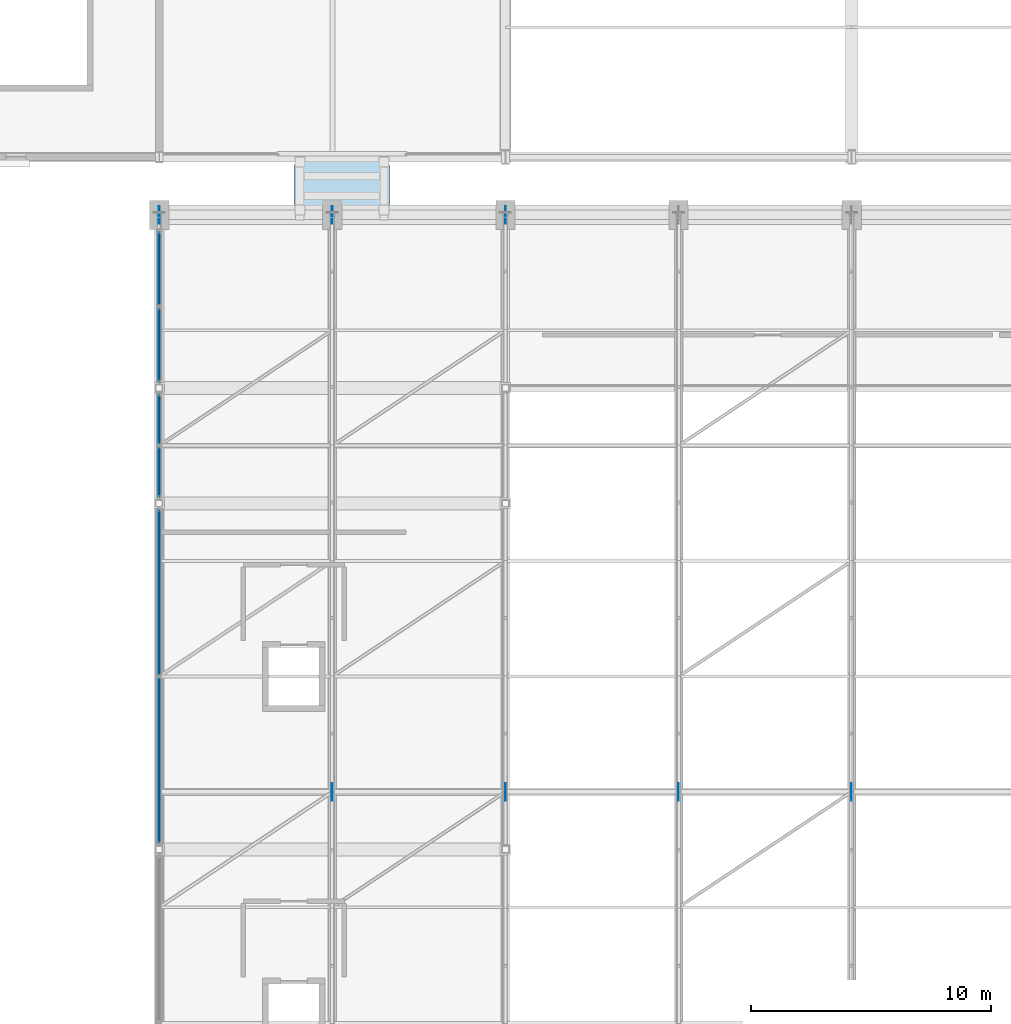
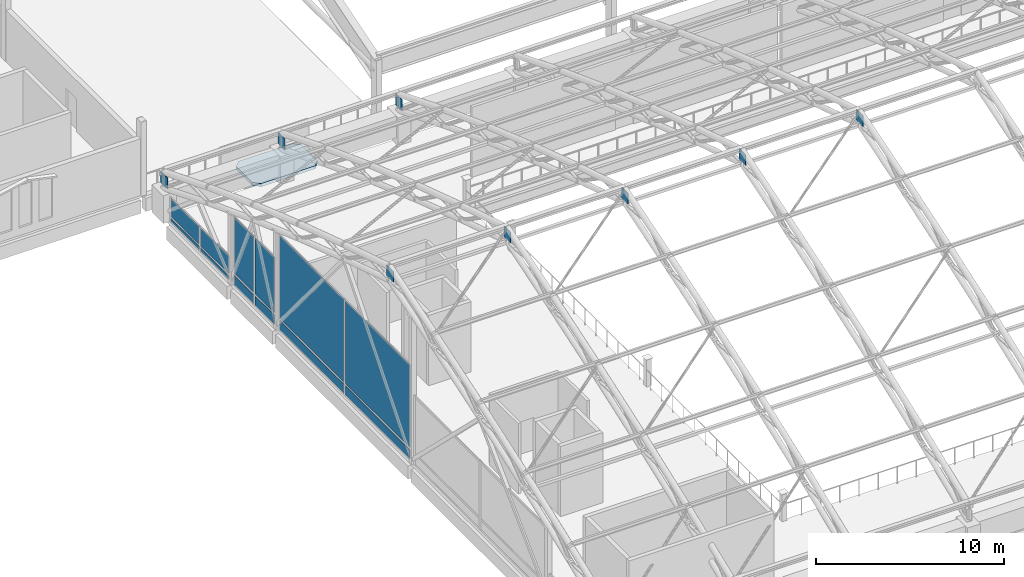
# One storey, part 66 of 116: 20 plates, 1 slab, 3 elements without a shape of their own.
"""IFC4 building model written with IfcOpenShell, lengths in metres."""

import ifcopenshell
import ifcopenshell.guid

model = None  # the IFC model being written
_history = None  # IfcOwnerHistory: only IFC2X3 demands one
_inside = {}  # id of a spatial element -> (the spatial element, [elements in it])
_under = {}  # id of a project, library or spatial element -> (it, [spatial elements below it])
_declared = {}  # id of a project -> (the project, [libraries it declares])
_typed = {}  # id of a type object -> (the type object, [elements of that type])
_made_of = {}  # id of a material, layer set ... -> (it, [elements and type objects made of it])


def new_model(schema):
    """Start an empty IFC model of exactly this schema.

    Asked for "IFC4X3", IfcOpenShell would pick the latest addendum, in which some entities
    have other attributes; the version numbers below select the first issue.
    IFC2X3 requires an IfcOwnerHistory on every rooted entity: one is made here for all.
    """
    global model, _history
    if schema == "IFC4X3":
        model = ifcopenshell.file(schema_version=(4, 3, 0, 0))
    else:
        model = ifcopenshell.file(schema=schema)
    _inside.clear()
    _under.clear()
    _declared.clear()
    _typed.clear()
    _made_of.clear()
    _history = None
    if model.schema == "IFC2X3":
        org = make("IfcOrganization", Name="unknown")
        user = make(
            "IfcPersonAndOrganization",
            ThePerson=make("IfcPerson", FamilyName="unknown"),
            TheOrganization=org,
        )
        app = make(
            "IfcApplication",
            ApplicationDeveloper=org,
            Version="unknown",
            ApplicationFullName="unknown",
            ApplicationIdentifier="unknown",
        )
        _history = make(
            "IfcOwnerHistory",
            OwningUser=user,
            OwningApplication=app,
            ChangeAction="ADDED",
            CreationDate=0,
        )
    return model


def make(cls, **values):
    """One entity of the class cls with the attributes given. An attribute that is None is left unset."""
    return model.create_entity(
        cls, **{name: value for name, value in values.items() if value is not None}
    )


def rooted(cls, **values):
    """An entity with a GlobalId (a new one), such as an element, a storey or a relation."""
    return make(cls, GlobalId=ifcopenshell.guid.new(), OwnerHistory=_history, **values)


def si_unit(unit_type, name, prefix=None):
    """IfcSIUnit, for example si_unit("LENGTHUNIT", "METRE", prefix="MILLI")."""
    return make("IfcSIUnit", UnitType=unit_type, Prefix=prefix, Name=name)


def assignment(units):
    """IfcUnitAssignment: the units of a project."""
    return None if units is None else make("IfcUnitAssignment", Units=units)


def point(xyz):
    """IfcCartesianPoint."""
    return None if xyz is None else make("IfcCartesianPoint", Coordinates=xyz)


def direction(xyz):
    """IfcDirection."""
    return None if xyz is None else make("IfcDirection", DirectionRatios=xyz)


def frame(location, z_axis=None, x_axis=None):
    """IfcAxis2Placement3D, a coordinate frame: its origin and axes. An axis left out is left unset."""
    return make(
        "IfcAxis2Placement3D",
        Location=point(location),
        Axis=direction(z_axis),
        RefDirection=direction(x_axis),
    )


def frame_2d(location, x_axis=None):
    """IfcAxis2Placement2D, a coordinate frame in the plane: its origin and x axis."""
    return make(
        "IfcAxis2Placement2D", Location=point(location), RefDirection=direction(x_axis)
    )


def origin():
    """The frame at (0, 0, 0) with its axes left unset."""
    return frame((0.0, 0.0, 0.0))


def origin_2d():
    """The frame at (0, 0) in the plane with its x axis left unset."""
    return frame_2d((0.0, 0.0))


def place(relative_to, where):
    """IfcLocalPlacement: puts the frame where relative to a parent placement (None: the world)."""
    return make(
        "IfcLocalPlacement", PlacementRelTo=relative_to, RelativePlacement=where
    )


def context(
    kind, dimensions, precision=None, world=None, true_north=None, identifier=None
):
    """IfcGeometricRepresentationContext, for example the 3D "Model" context."""
    return make(
        "IfcGeometricRepresentationContext",
        ContextIdentifier=identifier,
        ContextType=kind,
        CoordinateSpaceDimension=dimensions,
        Precision=precision,
        WorldCoordinateSystem=world,
        TrueNorth=true_north,
    )


def subcontext(parent, identifier, kind, view, scale=None):
    """IfcGeometricRepresentationSubContext, for example "Body" below "Model"."""
    return make(
        "IfcGeometricRepresentationSubContext",
        ContextIdentifier=identifier,
        ContextType=kind,
        ParentContext=parent,
        TargetScale=scale,
        TargetView=view,
    )


def project(units=None, contexts=None):
    """IfcProject with its units and contexts."""
    return rooted(
        "IfcProject",
        Name="project",
        RepresentationContexts=contexts,
        UnitsInContext=assignment(units),
    )


def spatial(cls, under=None, at=None, **own):
    """A site, building, storey or space (cls), placed at a placement, below another one or the project."""
    s = rooted(cls, ObjectPlacement=at, **own)
    if under is not None:
        _under.setdefault(under.id(), (under, []))[1].append(s)
    return s


def polyline(points):
    """IfcPolyline through the points."""
    return make("IfcPolyline", Points=[point(p) for p in points])


def profile(cls, at=None, kind="AREA", **sizes):
    """A parametric profile (cls). Its sizes go by their IFC names, for example OverallWidth=200.0."""
    return make(cls, ProfileType=kind, Position=at, **sizes)


def rectangle(**sizes):
    """IfcRectangleProfileDef."""
    return profile("IfcRectangleProfileDef", **sizes)


def outline(outer, holes=None, kind="AREA"):
    """IfcArbitraryClosedProfileDef: a profile drawn as a closed curve; with holes, ...WithVoids."""
    if holes is None:
        return make("IfcArbitraryClosedProfileDef", ProfileType=kind, OuterCurve=outer)
    return make(
        "IfcArbitraryProfileDefWithVoids",
        ProfileType=kind,
        OuterCurve=outer,
        InnerCurves=holes,
    )


def extrude(swept, where, along, depth):
    """IfcExtrudedAreaSolid: the profile swept, set in the frame where, extruded along a direction by depth."""
    return make(
        "IfcExtrudedAreaSolid",
        SweptArea=swept,
        Position=where,
        ExtrudedDirection=direction(along),
        Depth=depth,
    )


def shape(context_of_items, identifier, shape_type, items):
    """IfcShapeRepresentation: the items that make up one representation, for example the "Body"."""
    return make(
        "IfcShapeRepresentation",
        ContextOfItems=context_of_items,
        RepresentationIdentifier=identifier,
        RepresentationType=shape_type,
        Items=items,
    )


def material(Name=None, Category=None):
    """IfcMaterial."""
    return make("IfcMaterial", Name=Name, Category=Category)


def layer(
    of_material, thickness, ventilated=None, Name=None, Category=None, Priority=None
):
    """IfcMaterialLayer: one layer of a wall or slab, of a material (None: an air gap)."""
    return make(
        "IfcMaterialLayer",
        Material=of_material,
        LayerThickness=thickness,
        IsVentilated=ventilated,
        Name=Name,
        Category=Category,
        Priority=Priority,
    )


def layer_set(layers, Name=None):
    """IfcMaterialLayerSet."""
    return make("IfcMaterialLayerSet", MaterialLayers=layers, LayerSetName=Name)


def made_of(thing, what):
    """Note that an element or type object is made of a material, layer set ...; save() writes the relation."""
    if what is not None:
        _made_of.setdefault(what.id(), (what, []))[1].append(thing)
    return thing


def type_object(cls, material=None, **own):
    """A type object (cls), such as IfcWallType, which elements share."""
    return made_of(rooted(cls, **own), material)


def element(
    cls,
    number,
    at=None,
    inside=None,
    cuts=None,
    type_object=None,
    material=None,
    context=None,
    identifier="Body",
    shape_type=None,
    held_by="IfcProductDefinitionShape",
    body=None,
    shapes=None,
    **own,
):
    """One element of the class cls, such as IfcWall. Its Tag is "e" and its number.

    at: its placement. inside: the storey or other place that contains it. cuts: it is an
    opening in that element (IfcRelVoidsElement). A single representation is given by context,
    identifier, shape_type and body (its items); several are given by shapes. held_by: the class
    of the entity that holds the representations. save() writes the other relations.
    """
    e = rooted(cls, Tag="e%d" % number, ObjectPlacement=at, **own)
    if body is not None:
        shapes = [shape(context, identifier, shape_type, body)]
    if shapes is not None:
        e.Representation = make(held_by, Representations=shapes)
    if inside is not None:
        _inside.setdefault(inside.id(), (inside, []))[1].append(e)
    if cuts is not None:
        rooted(
            "IfcRelVoidsElement", RelatingBuildingElement=cuts, RelatedOpeningElement=e
        )
    if type_object is not None:
        _typed.setdefault(type_object.id(), (type_object, []))[1].append(e)
    return made_of(e, material)


def aggregate(whole, parts):
    """IfcRelAggregates: a whole, such as a stair, and the parts it consists of."""
    return rooted("IfcRelAggregates", RelatingObject=whole, RelatedObjects=parts)


def save(model, path):
    """Write the relations noted so far, then the file.

    IfcRelAggregates (storeys below a building ...), IfcRelContainedInSpatialStructure (elements
    in a storey), IfcRelDefinesByType, IfcRelAssociatesMaterial and IfcRelDeclares: one each for
    every whole, place, type object, material and project.
    """
    for whole, parts in _under.values():
        aggregate(whole, parts)
    for where, things in _inside.values():
        rooted(
            "IfcRelContainedInSpatialStructure",
            RelatedElements=things,
            RelatingStructure=where,
        )
    for kind, things in _typed.values():
        rooted("IfcRelDefinesByType", RelatedObjects=things, RelatingType=kind)
    for what, things in _made_of.values():
        rooted("IfcRelAssociatesMaterial", RelatedObjects=things, RelatingMaterial=what)
    for by, libraries in _declared.values():
        rooted("IfcRelDeclares", RelatingContext=by, RelatedDefinitions=libraries)
    model.write(path)


model = new_model("IFC4")

# Units and contexts
model_context = context("Model", 3, precision=1e-05, world=origin(), true_north=direction((0.0, 1.0)))
body_context = subcontext(model_context, "Body", "Model", "MODEL_VIEW")
ifc_project = project(units=[si_unit("LENGTHUNIT", "METRE"), si_unit("AREAUNIT", "SQUARE_METRE"), si_unit("VOLUMEUNIT", "CUBIC_METRE"), si_unit("PLANEANGLEUNIT", "RADIAN"), si_unit("MASSUNIT", "GRAM", prefix="KILO")], contexts=[model_context])

# Site, building, storey
site_placement = place(None, origin())
site = spatial("IfcSite", under=ifc_project, at=site_placement, CompositionType="ELEMENT")
building_placement = place(site_placement, origin())
building = spatial("IfcBuilding", under=site, at=building_placement, Name="Cendralis Lancet Convention Centre", CompositionType="ELEMENT")
storey_placement = place(building_placement, frame((0.0, 0.0, 15.0)))
storey = spatial("IfcBuildingStorey", under=building, at=storey_placement, Name="L03", CompositionType="ELEMENT", Elevation=15.0)

# Curtain wall, plates
ifc_material_1 = material(Name="Anodised bronze architectural aluminium", Category="aluminium")
curtain_wall_type = type_object("IfcCurtainWallType", Name="ARC-CW-PL02", PredefinedType="USERDEFINED", material=ifc_material_1)
curtain_wall_1_placement = place(storey_placement, origin())
curtain_wall_1 = element("IfcCurtainWall", 1, at=curtain_wall_1_placement, inside=storey, type_object=curtain_wall_type, Name="L03 Curtain Wall CW-PL2 #138", ObjectType="CURTAIN WALL", PredefinedType="USERDEFINED")
ifc_material_2 = material(Name="Double-glazed low-E solar-control glass", Category="glass")
ifc_layer_1 = layer(ifc_material_2, 0.035888671875, Name="Double-glazed low-E solar-control glass")
ifc_layer_set_1 = layer_set([ifc_layer_1], Name="Double-glazed low-E solar-control glass")
plate_type_1 = type_object("IfcPlateType", Name="ARC-PL-GL03", PredefinedType="CURTAIN_PANEL", material=ifc_layer_set_1)
plate_1_placement = place(storey_placement, frame((139.199951171875, 68.5, 0.81982421875), z_axis=(0.0, 0.0, 1.0), x_axis=(0.0, 1.0, 0.0)))
plate_1 = element("IfcPlate", 2, at=plate_1_placement, type_object=plate_type_1, Name="Vision Glass Panel CW2-CW-PL2-L03-138-PG0", PredefinedType="CURTAIN_PANEL", context=body_context, shape_type="SweptSolid", body=[
    extrude(rectangle(XDim=6.840087890625, YDim=0.035888671875, at=origin_2d()), origin(), (0.0, 0.0, 1.0), 5.364990234375),
])
plate_2_placement = place(storey_placement, frame((139.199951171875, 75.5, 0.81982421875), z_axis=(0.0, 0.0, 1.0), x_axis=(0.0, 1.0, 0.0)))
plate_2 = element("IfcPlate", 3, at=plate_2_placement, type_object=plate_type_1, Name="Vision Glass Panel CW2-CW-PL2-L03-138-PG1", PredefinedType="CURTAIN_PANEL", context=body_context, shape_type="SweptSolid", body=[
    extrude(rectangle(XDim=6.840087890625, YDim=0.035888671875, at=origin_2d()), origin(), (0.0, 0.0, 1.0), 5.364990234375),
])

curtain_wall_2_placement = place(storey_placement, origin())
curtain_wall_2 = element("IfcCurtainWall", 4, at=curtain_wall_2_placement, inside=storey, type_object=curtain_wall_type, Name="L03 Curtain Wall CW-PL2 #139", ObjectType="CURTAIN WALL", PredefinedType="USERDEFINED")
plate_3_placement = place(storey_placement, frame((139.199951171875, 80.5, 0.820068359375), z_axis=(0.0, 0.0, 1.0), x_axis=(0.0, 1.0, 0.0)))
plate_3 = element("IfcPlate", 5, at=plate_3_placement, type_object=plate_type_1, Name="Vision Glass Panel CW2-CW-PL2-L03-139-PG0", PredefinedType="CURTAIN_PANEL", context=body_context, shape_type="SweptSolid", body=[
    extrude(rectangle(XDim=2.0400390625, YDim=0.035888671875, at=origin_2d()), origin(), (0.0, 0.0, 1.0), 3.60693359375),
])
plate_4_placement = place(storey_placement, frame((139.199951171875, 82.699951171875, 0.820068359375), z_axis=(0.0, 0.0, 1.0), x_axis=(0.0, 1.0, 0.0)))
plate_4 = element("IfcPlate", 6, at=plate_4_placement, type_object=plate_type_1, Name="Vision Glass Panel CW2-CW-PL2-L03-139-PG1", PredefinedType="CURTAIN_PANEL", context=body_context, shape_type="SweptSolid", body=[
    extrude(rectangle(XDim=2.0400390625, YDim=0.035888671875, at=origin_2d()), origin(), (0.0, 0.0, 1.0), 3.60693359375),
])

curtain_wall_3_placement = place(storey_placement, origin())
curtain_wall_3 = element("IfcCurtainWall", 7, at=curtain_wall_3_placement, inside=storey, type_object=curtain_wall_type, Name="L03 Curtain Wall CW-PL2 #140", ObjectType="CURTAIN WALL", PredefinedType="USERDEFINED")
plate_5_placement = place(storey_placement, frame((139.199951171875, 85.78759765625, 0.43310546875), z_axis=(0.0, 0.0, 1.0), x_axis=(0.0, 1.0, 0.0)))
plate_5 = element("IfcPlate", 8, at=plate_5_placement, type_object=plate_type_1, Name="Vision Glass Panel CW2-CW-PL2-L03-140-PG0", PredefinedType="CURTAIN_PANEL", context=body_context, shape_type="SweptSolid", body=[
    extrude(rectangle(XDim=3.014892578125, YDim=0.035888671875, at=origin_2d()), origin(), (0.0, 0.0, 1.0), 1.14697265625),
])
plate_6_placement = place(storey_placement, frame((139.199951171875, 88.96240234375, 0.43310546875), z_axis=(0.0, 0.0, 1.0), x_axis=(0.0, 1.0, 0.0)))
plate_6 = element("IfcPlate", 9, at=plate_6_placement, type_object=plate_type_1, Name="Vision Glass Panel CW2-CW-PL2-L03-140-PG1", PredefinedType="CURTAIN_PANEL", context=body_context, shape_type="SweptSolid", body=[
    extrude(rectangle(XDim=3.014892578125, YDim=0.035888671875, at=origin_2d()), origin(), (0.0, 0.0, 1.0), 1.14697265625),
])

# Plate
ifc_material_3 = material(Name="Insulated ceramic-fritted spandrel glass", Category="glass")
ifc_layer_2 = layer(ifc_material_3, 0.044921875, Name="Insulated ceramic-fritted spandrel glass")
ifc_layer_set_2 = layer_set([ifc_layer_2], Name="Insulated ceramic-fritted spandrel glass")
plate_type_2 = type_object("IfcPlateType", Name="ARC-PL-SP01", PredefinedType="CURTAIN_PANEL", material=ifc_layer_set_2)
plate_7_placement = place(storey_placement, frame((139.199951171875, 68.5, 0.06982421875), z_axis=(0.0, 0.0, 1.0), x_axis=(0.0, 1.0, 0.0)))
plate_7 = element("IfcPlate", 10, at=plate_7_placement, type_object=plate_type_2, Name="Spandrel Panel CW2-CW-PL2-L03-138-PS0", PredefinedType="CURTAIN_PANEL", context=body_context, shape_type="SweptSolid", body=[
    extrude(rectangle(XDim=6.840087890625, YDim=0.044921875, at=origin_2d()), origin(), (0.0, 0.0, 1.0), 0.610107421875),
])

plate_8_placement = place(storey_placement, frame((139.199951171875, 75.5, 0.06982421875), z_axis=(0.0, 0.0, 1.0), x_axis=(0.0, 1.0, 0.0)))
plate_8 = element("IfcPlate", 11, at=plate_8_placement, type_object=plate_type_2, Name="Spandrel Panel CW2-CW-PL2-L03-138-PS1", PredefinedType="CURTAIN_PANEL", context=body_context, shape_type="SweptSolid", body=[
    extrude(rectangle(XDim=6.840087890625, YDim=0.044921875, at=origin_2d()), origin(), (0.0, 0.0, 1.0), 0.610107421875),
])

aggregate(curtain_wall_1, [plate_7, plate_1, plate_8, plate_2])

plate_9_placement = place(storey_placement, frame((139.199951171875, 80.5, 0.06982421875), z_axis=(0.0, 0.0, 1.0), x_axis=(0.0, 1.0, 0.0)))
plate_9 = element("IfcPlate", 12, at=plate_9_placement, type_object=plate_type_2, Name="Spandrel Panel CW2-CW-PL2-L03-139-PS0", PredefinedType="CURTAIN_PANEL", context=body_context, shape_type="SweptSolid", body=[
    extrude(rectangle(XDim=2.0400390625, YDim=0.044921875, at=origin_2d()), origin(), (0.0, 0.0, 1.0), 0.610107421875),
])

plate_10_placement = place(storey_placement, frame((139.199951171875, 82.699951171875, 0.06982421875), z_axis=(0.0, 0.0, 1.0), x_axis=(0.0, 1.0, 0.0)))
plate_10 = element("IfcPlate", 13, at=plate_10_placement, type_object=plate_type_2, Name="Spandrel Panel CW2-CW-PL2-L03-139-PS1", PredefinedType="CURTAIN_PANEL", context=body_context, shape_type="SweptSolid", body=[
    extrude(rectangle(XDim=2.0400390625, YDim=0.044921875, at=origin_2d()), origin(), (0.0, 0.0, 1.0), 0.610107421875),
])

aggregate(curtain_wall_2, [plate_9, plate_3, plate_10, plate_4])

plate_11_placement = place(storey_placement, frame((139.199951171875, 85.78759765625, 0.06982421875), z_axis=(0.0, 0.0, 1.0), x_axis=(0.0, 1.0, 0.0)))
plate_11 = element("IfcPlate", 14, at=plate_11_placement, type_object=plate_type_2, Name="Spandrel Panel CW2-CW-PL2-L03-140-PS0", PredefinedType="CURTAIN_PANEL", context=body_context, shape_type="SweptSolid", body=[
    extrude(rectangle(XDim=3.014892578125, YDim=0.044921875, at=origin_2d()), origin(), (0.0, 0.0, 1.0), 0.222900390625),
])

plate_12_placement = place(storey_placement, frame((139.199951171875, 88.96240234375, 0.06982421875), z_axis=(0.0, 0.0, 1.0), x_axis=(0.0, 1.0, 0.0)))
plate_12 = element("IfcPlate", 15, at=plate_12_placement, type_object=plate_type_2, Name="Spandrel Panel CW2-CW-PL2-L03-140-PS1", PredefinedType="CURTAIN_PANEL", context=body_context, shape_type="SweptSolid", body=[
    extrude(rectangle(XDim=3.014892578125, YDim=0.044921875, at=origin_2d()), origin(), (0.0, 0.0, 1.0), 0.222900390625),
])

aggregate(curtain_wall_3, [plate_11, plate_5, plate_12, plate_6])

# Plates
ifc_material_4 = material(Name="Steel S355", Category="steel")
ifc_layer_3 = layer(ifc_material_4, 0.028076171875, Name="Steel S355")
ifc_layer_set_3 = layer_set([ifc_layer_3], Name="Steel S355")
plate_type_3 = type_object("IfcPlateType", Name="STR-PL-GP28", PredefinedType="USERDEFINED", material=ifc_layer_set_3)
for number, where, z_axis, x_axis, name in (
    (16, (139.199951171875, 67.199951171875, 10.44921875), (0.0, 0.0, 1.0), (0.0, 1.0, 0.0), "Truss Gusset Plate GP-28 AT-V2-01-APEX"),
    (17, (139.199951171875, 91.199951171875, 1.96484375), (0.0, 0.0, 1.0), (0.0, 1.0, 0.0), "Truss Gusset Plate GP-28 AT-V2-01-SPR-N"),
):
    element("IfcPlate", number, at=place(storey_placement, frame(where, z_axis=z_axis, x_axis=x_axis)), inside=storey, type_object=plate_type_3, Name=name, ObjectType="GUSSET PLATE", PredefinedType="USERDEFINED", context=body_context, shape_type="SweptSolid", body=[
        extrude(rectangle(XDim=0.719970703125, YDim=0.028076171875, at=origin_2d()), origin(), (0.0, 0.0, 1.0), 0.719970703125),
    ])
ifc_layer_4 = layer(ifc_material_4, 0.028076171875, Name="Steel S355")
ifc_layer_set_4 = layer_set([ifc_layer_4], Name="Steel S355")
plate_type_4 = type_object("IfcPlateType", Name="STR-PL-GP28-INT", PredefinedType="USERDEFINED", material=ifc_layer_set_4)
for number, where, z_axis, x_axis, name in (
    (18, (146.39990234375, 67.199951171875, 10.44921875), (0.0, 0.0, 1.0), (0.0, 1.0, 0.0), "Truss Gusset Plate GP-28 AT-V2-02-APEX"),
    (19, (146.39990234375, 91.199951171875, 1.96484375), (0.0, 0.0, 1.0), (0.0, 1.0, 0.0), "Truss Gusset Plate GP-28 AT-V2-02-SPR-N"),
    (20, (153.60009765625, 67.199951171875, 10.44921875), (0.0, 0.0, 1.0), (0.0, 1.0, 0.0), "Truss Gusset Plate GP-28 AT-V2-03-APEX"),
    (21, (153.60009765625, 91.199951171875, 1.96484375), (0.0, 0.0, 1.0), (0.0, 1.0, 0.0), "Truss Gusset Plate GP-28 AT-V2-03-SPR-N"),
    (22, (160.800048828125, 67.199951171875, 10.44921875), (0.0, 0.0, 1.0), (0.0, 1.0, 0.0), "Truss Gusset Plate GP-28 AT-V2-04-APEX"),
    (23, (168.0, 67.199951171875, 10.44921875), (0.0, 0.0, 1.0), (0.0, 1.0, 0.0), "Truss Gusset Plate GP-28 AT-V2-05-APEX"),
):
    element("IfcPlate", number, at=place(storey_placement, frame(where, z_axis=z_axis, x_axis=x_axis)), inside=storey, type_object=plate_type_4, Name=name, ObjectType="GUSSET PLATE", PredefinedType="USERDEFINED", context=body_context, shape_type="SweptSolid", body=[
        extrude(rectangle(XDim=0.719970703125, YDim=0.028076171875, at=origin_2d()), origin(), (0.0, 0.0, 1.0), 0.719970703125),
    ])

# Slab
ifc_material_5 = material(Name="Concrete G35 (C35/45)", Category="concrete")
ifc_layer_5 = layer(ifc_material_5, 0.199951171875, Name="Concrete G35 (C35/45)")
ifc_layer_set_5 = layer_set([ifc_layer_5], Name="Concrete G35 (C35/45)")
slab_type = type_object("IfcSlabType", Name="STR-SL-RF20", PredefinedType="ROOF", material=ifc_layer_set_5)
slab_placement = place(storey_placement, frame((0.0, 0.0, -0.199951171875)))
element("IfcSlab", 24, at=slab_placement, inside=storey, type_object=slab_type, Name="Plenary-Ballroom Link Bridge Roof Slab L03", PredefinedType="ROOF", context=body_context, shape_type="SweptSolid", body=[
    extrude(outline(polyline([(145.14990234375, 91.199951171875), (148.449951171875, 91.199951171875), (148.800048828125, 91.550048828125), (148.800048828125, 93.25), (148.449951171875, 93.60009765625), (145.14990234375, 93.60009765625), (144.800048828125, 93.25), (144.800048828125, 91.550048828125), (145.14990234375, 91.199951171875)])), origin(), (0.0, 0.0, 1.0), 0.199951171875),
])

save(model, "model.ifc")
